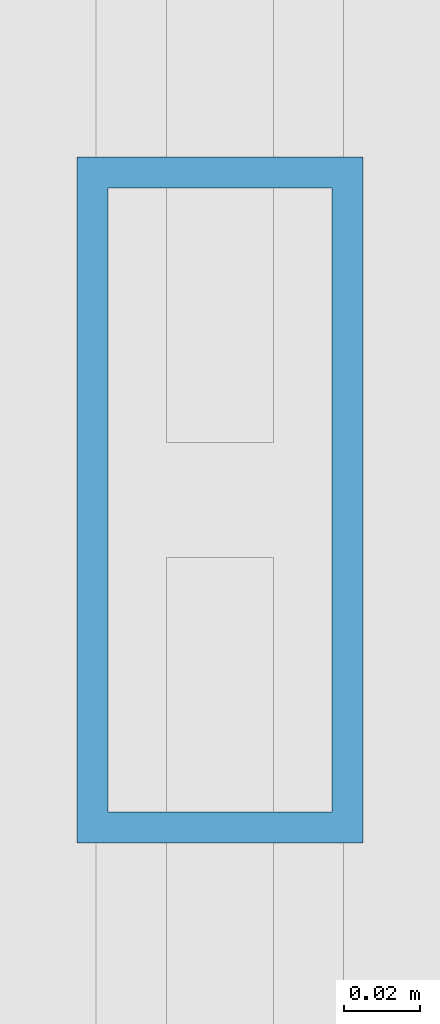
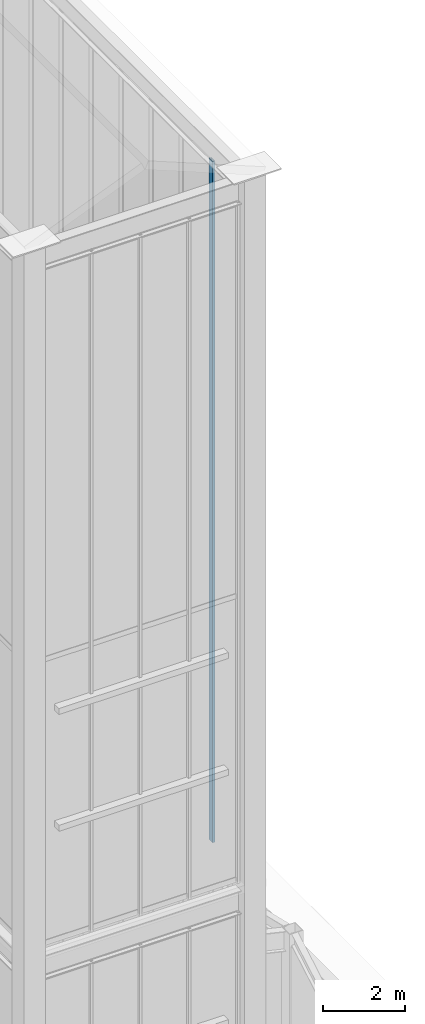
# One storey, part 48 of 135: 1 member, 1 element without a shape of its own.
"""IFC4 building model written with IfcOpenShell, lengths in metres."""

from ifc_helpers import new_model, si_unit, direction, frame, origin, origin_2d, place, context, subcontext, project, spatial, hollow_rectangle, extrude, source, transform, mapped, material, layer, layer_set, material_profile, profile_set, type_object, element, aggregate, save


model = new_model("IFC4")

# Units and contexts
model_context = context("Model", 3, precision=1e-05, world=origin(), true_north=direction((0.0, 1.0)))
body_context = subcontext(model_context, "Body", "Model", "MODEL_VIEW")
ifc_project = project(units=[si_unit("LENGTHUNIT", "METRE"), si_unit("AREAUNIT", "SQUARE_METRE"), si_unit("VOLUMEUNIT", "CUBIC_METRE"), si_unit("PLANEANGLEUNIT", "RADIAN"), si_unit("MASSUNIT", "GRAM", prefix="KILO")], contexts=[model_context])

# Site, building, storey
site_placement = place(None, origin())
site = spatial("IfcSite", under=ifc_project, at=site_placement, CompositionType="ELEMENT")
building_placement = place(site_placement, origin())
building = spatial("IfcBuilding", under=site, at=building_placement, Name="Giltprow Tower", CompositionType="ELEMENT")
storey_placement = place(building_placement, frame((0.0, 0.0, 352.699951171875)))
storey = spatial("IfcBuildingStorey", under=building, at=storey_placement, Name="L92", CompositionType="ELEMENT", Elevation=352.699951171875)

# Curtain wall, member
ifc_material = material(Name="Anodized bronze", Category="metal")
ifc_layer = layer(ifc_material, 0.179931640625, Name="Anodized bronze")
ifc_layer_set = layer_set([ifc_layer], Name="Anodized bronze")
curtain_wall_type = type_object("IfcCurtainWallType", Name="CW-CROWN-LANTERN", PredefinedType="NOTDEFINED", material=ifc_layer_set)
curtain_wall_placement = place(storey_placement, origin())
curtain_wall = element("IfcCurtainWall", 1, at=curtain_wall_placement, inside=storey, type_object=curtain_wall_type, Name="Crown East Upper Lantern Glazing 2", PredefinedType="NOTDEFINED")
ifc_material_profile = material_profile(ifc_material, hollow_rectangle(XDim=0.074951171875, YDim=0.179931640625, WallThickness=0.008056640625, at=origin_2d()), Name="RHS 180x75x8")
ifc_profile_set = profile_set([ifc_material_profile], Name="Anodized bronze")
member_type = type_object("IfcMemberType", Name="CW-MULLION-180x75", PredefinedType="MULLION", material=ifc_profile_set)
shared_shape = source(origin(), body_context, "Body", "SweptSolid", [
    extrude(hollow_rectangle(XDim=0.074951171875, YDim=0.179931640625, WallThickness=0.008056640625, at=origin_2d()), origin(), (0.0, 0.0, 1.0), 20.406005859375),
])
member_placement = place(storey_placement, frame((50.550048828125, 25.322021484375, 17.25), z_axis=(0.0, 0.0, 1.0), x_axis=(1.0, 0.0, 0.0)))
member = element("IfcMember", 2, at=member_placement, type_object=member_type, Name="Crown East Upper Lantern Glazing 2 Mullion 2", PredefinedType="MULLION", context=body_context, shape_type="MappedRepresentation", body=[
    mapped(shared_shape, transform((0.0, 0.0, 0.0), x_axis=(1.0, 0.0, 0.0), y_axis=(0.0, 1.0, 0.0), z_axis=(0.0, 0.0, 1.0), scale=1.0)),
])
aggregate(curtain_wall, [member])

save(model, "model.ifc")
